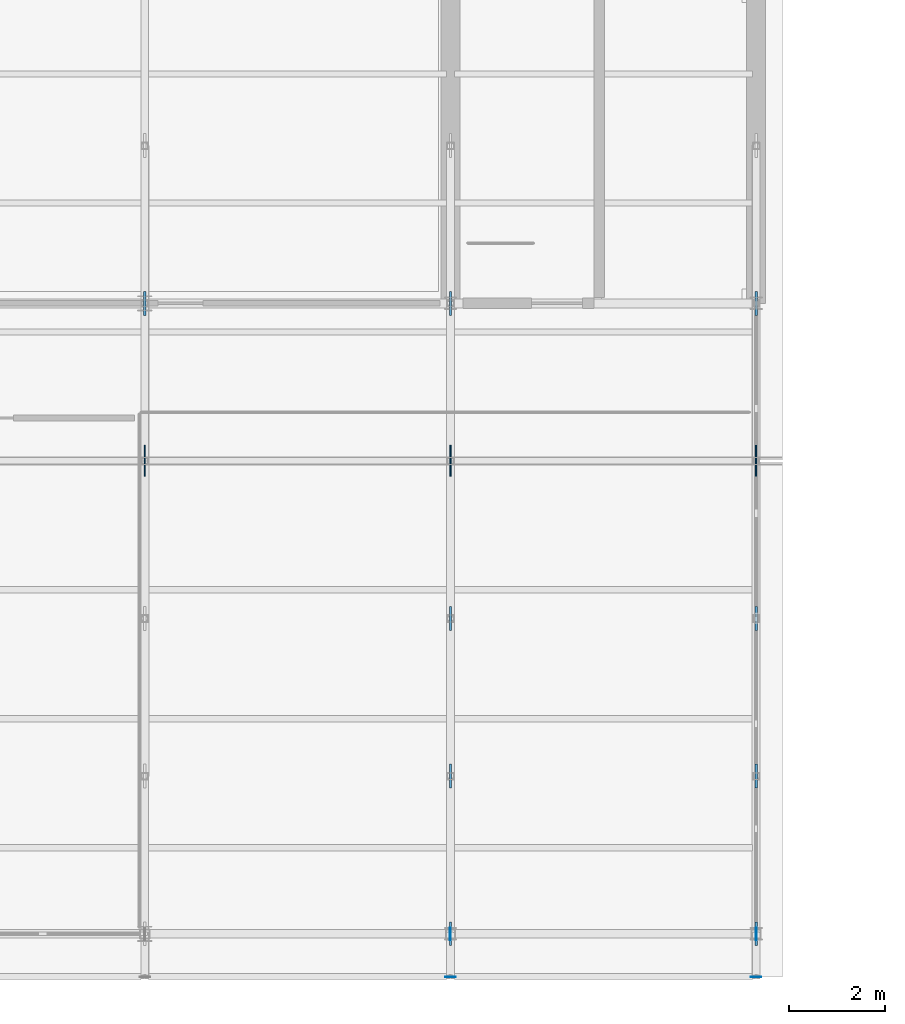
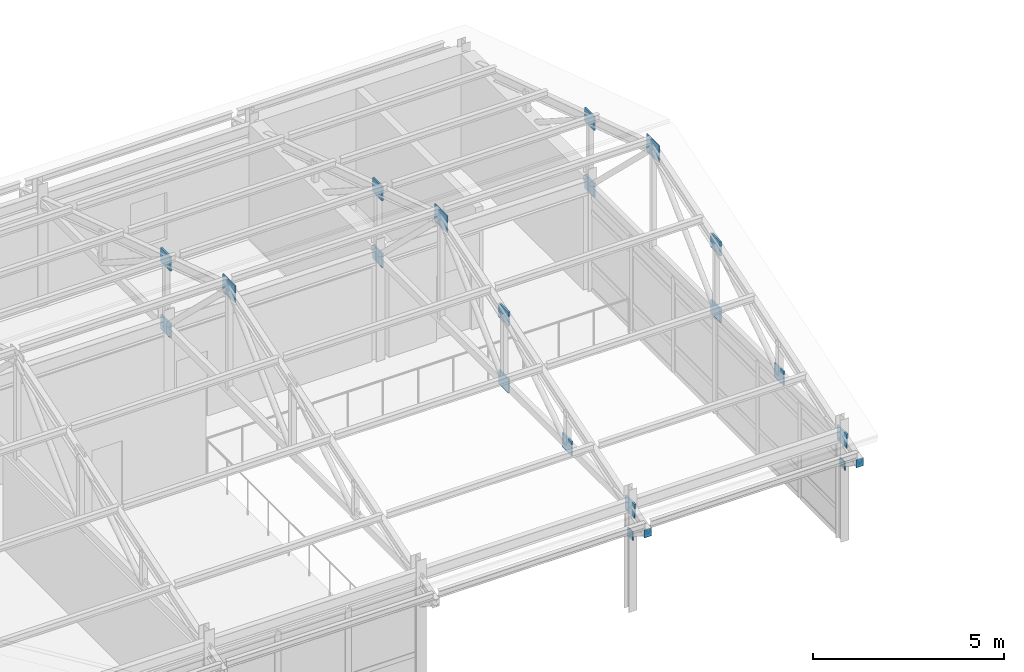
# One storey, part 40 of 57: 21 plates.
"""IFC4 building model written with IfcOpenShell, lengths in metres."""

from ifc_helpers import new_model, si_unit, direction, frame, origin, origin_2d, place, context, subcontext, project, spatial, rectangle, extrude, material, layer, layer_set, type_object, element, save


model = new_model("IFC4")

# Units and contexts
model_context = context("Model", 3, precision=1e-05, world=origin(), true_north=direction((0.0, 1.0)))
body_context = subcontext(model_context, "Body", "Model", "MODEL_VIEW")
ifc_project = project(units=[si_unit("LENGTHUNIT", "METRE"), si_unit("AREAUNIT", "SQUARE_METRE"), si_unit("VOLUMEUNIT", "CUBIC_METRE"), si_unit("PLANEANGLEUNIT", "RADIAN"), si_unit("MASSUNIT", "GRAM", prefix="KILO")], contexts=[model_context])

# Site, building, storey
site_placement = place(None, origin())
site = spatial("IfcSite", under=ifc_project, at=site_placement, CompositionType="ELEMENT")
building_placement = place(site_placement, origin())
building = spatial("IfcBuilding", under=site, at=building_placement, Name="Trelmorton Wharf Fire Station", CompositionType="ELEMENT")
storey_placement = place(building_placement, frame((0.0, 0.0, 13.5)))
storey = spatial("IfcBuildingStorey", under=building, at=storey_placement, Name="L03", CompositionType="ELEMENT", Elevation=13.5)

# Plates
ifc_material = material(Name="Steel Grade 350", Category="steel")
ifc_layer_1 = layer(ifc_material, 0.011962890625)
ifc_layer_set_1 = layer_set([ifc_layer_1], Name="Steel Grade 350")
plate_type_1 = type_object("IfcPlateType", Name="PL_ENDCAP_12", PredefinedType="SHEET", material=ifc_layer_set_1)
for number, where, z_axis, x_axis, name in (
    (1, (77.199951171875, 6.89990234375, 2.84521484375), (0.0, 0.0, 1.0), (1.0, 0.0, 0.0), "PL-EC-0057"),
    (2, (83.60009765625, 6.89990234375, 2.84521484375), (0.0, 0.0, 1.0), (1.0, 0.0, 0.0), "PL-EC-0061"),
):
    element("IfcPlate", number, at=place(storey_placement, frame(where, z_axis=z_axis, x_axis=x_axis)), inside=storey, type_object=plate_type_1, Name=name, PredefinedType="SHEET", context=body_context, shape_type="SweptSolid", body=[
        extrude(rectangle(XDim=0.219970703125, YDim=0.011962890625, at=origin_2d()), origin(), (0.0, 0.0, 1.0), 0.260009765625),
    ])
ifc_layer_2 = layer(ifc_material, 0.02001953125)
ifc_layer_set_2 = layer_set([ifc_layer_2], Name="Steel Grade 350")
plate_type_2 = type_object("IfcPlateType", Name="PL_ENDCAP_20", PredefinedType="SHEET", material=ifc_layer_set_2)
for number, where, z_axis, x_axis, name in (
    (3, (77.199951171875, 7.800048828125, 2.259765625), (0.0, 0.0, 1.0), (1.0, 0.0, 0.0), "PL-EC-0058"),
    (4, (83.60009765625, 7.800048828125, 2.259765625), (0.0, 0.0, 1.0), (1.0, 0.0, 0.0), "PL-EC-0062"),
):
    element("IfcPlate", number, at=place(storey_placement, frame(where, z_axis=z_axis, x_axis=x_axis)), inside=storey, type_object=plate_type_2, Name=name, PredefinedType="SHEET", context=body_context, shape_type="SweptSolid", body=[
        extrude(rectangle(XDim=0.02001953125, YDim=0.260009765625, at=origin_2d()), origin(), (0.0, 0.0, 1.0), 0.280029296875),
    ])
ifc_layer_3 = layer(ifc_material, 0.030029296875)
ifc_layer_set_3 = layer_set([ifc_layer_3], Name="Steel Grade 350")
plate_type_3 = type_object("IfcPlateType", Name="PL_GUSSET_TN1", PredefinedType="USERDEFINED", material=ifc_layer_set_3)
for number, where, z_axis, x_axis, name in (
    (5, (70.800048828125, 17.699951171875, 6.19091796875), (0.0, 0.0, 1.0), (1.0, 0.0, 0.0), "PL-TN-0268"),
    (6, (77.199951171875, 17.699951171875, 6.19091796875), (0.0, 0.0, 1.0), (1.0, 0.0, 0.0), "PL-TN-0277"),
    (7, (83.60009765625, 17.699951171875, 6.19091796875), (0.0, 0.0, 1.0), (1.0, 0.0, 0.0), "PL-TN-0286"),
):
    element("IfcPlate", number, at=place(storey_placement, frame(where, z_axis=z_axis, x_axis=x_axis)), inside=storey, type_object=plate_type_3, Name=name, ObjectType="GUSSET PLATE", PredefinedType="USERDEFINED", context=body_context, shape_type="SweptSolid", body=[
        extrude(rectangle(XDim=0.030029296875, YDim=0.64990234375, at=origin_2d()), origin(), (0.0, 0.0, 1.0), 0.550048828125),
    ])
ifc_layer_4 = layer(ifc_material, 0.050048828125)
ifc_layer_set_4 = layer_set([ifc_layer_4], Name="Steel Grade 350")
plate_type_4 = type_object("IfcPlateType", Name="PL_GUSSET_TN2", PredefinedType="USERDEFINED", material=ifc_layer_set_4)
for number, where, z_axis, x_axis, name in (
    (8, (70.800048828125, 21.0, 5.17431640625), (0.0, 0.0, 1.0), (1.0, 0.0, 0.0), "PL-TN-0273"),
    (9, (70.800048828125, 21.0, 3.041015625), (0.0, 0.0, 1.0), (1.0, 0.0, 0.0), "PL-TN-0274"),
    (10, (77.199951171875, 7.800048828125, 3.041015625), (0.0, 0.0, 1.0), (1.0, 0.0, 0.0), "PL-TN-0275"),
    (11, (77.199951171875, 11.10009765625, 3.041015625), (0.0, 0.0, 1.0), (1.0, 0.0, 0.0), "PL-TN-0278"),
    (12, (77.199951171875, 14.39990234375, 5.17431640625), (0.0, 0.0, 1.0), (1.0, 0.0, 0.0), "PL-TN-0279"),
    (13, (77.199951171875, 14.39990234375, 3.041015625), (0.0, 0.0, 1.0), (1.0, 0.0, 0.0), "PL-TN-0280"),
    (14, (77.199951171875, 21.0, 5.17431640625), (0.0, 0.0, 1.0), (1.0, 0.0, 0.0), "PL-TN-0282"),
    (15, (77.199951171875, 21.0, 3.041015625), (0.0, 0.0, 1.0), (1.0, 0.0, 0.0), "PL-TN-0283"),
    (16, (83.60009765625, 7.800048828125, 3.041015625), (0.0, 0.0, 1.0), (1.0, 0.0, 0.0), "PL-TN-0284"),
    (17, (83.60009765625, 11.10009765625, 3.041015625), (0.0, 0.0, 1.0), (1.0, 0.0, 0.0), "PL-TN-0287"),
    (18, (83.60009765625, 14.39990234375, 5.17431640625), (0.0, 0.0, 1.0), (1.0, 0.0, 0.0), "PL-TN-0288"),
    (19, (83.60009765625, 14.39990234375, 3.041015625), (0.0, 0.0, 1.0), (1.0, 0.0, 0.0), "PL-TN-0289"),
    (20, (83.60009765625, 21.0, 5.17431640625), (0.0, 0.0, 1.0), (1.0, 0.0, 0.0), "PL-TN-0291"),
    (21, (83.60009765625, 21.0, 3.041015625), (0.0, 0.0, 1.0), (1.0, 0.0, 0.0), "PL-TN-0292"),
):
    element("IfcPlate", number, at=place(storey_placement, frame(where, z_axis=z_axis, x_axis=x_axis)), inside=storey, type_object=plate_type_4, Name=name, ObjectType="GUSSET PLATE", PredefinedType="USERDEFINED", context=body_context, shape_type="SweptSolid", body=[
        extrude(rectangle(XDim=0.050048828125, YDim=0.5, at=origin_2d()), origin(), (0.0, 0.0, 1.0), 0.449951171875),
    ])

save(model, "model.ifc")
